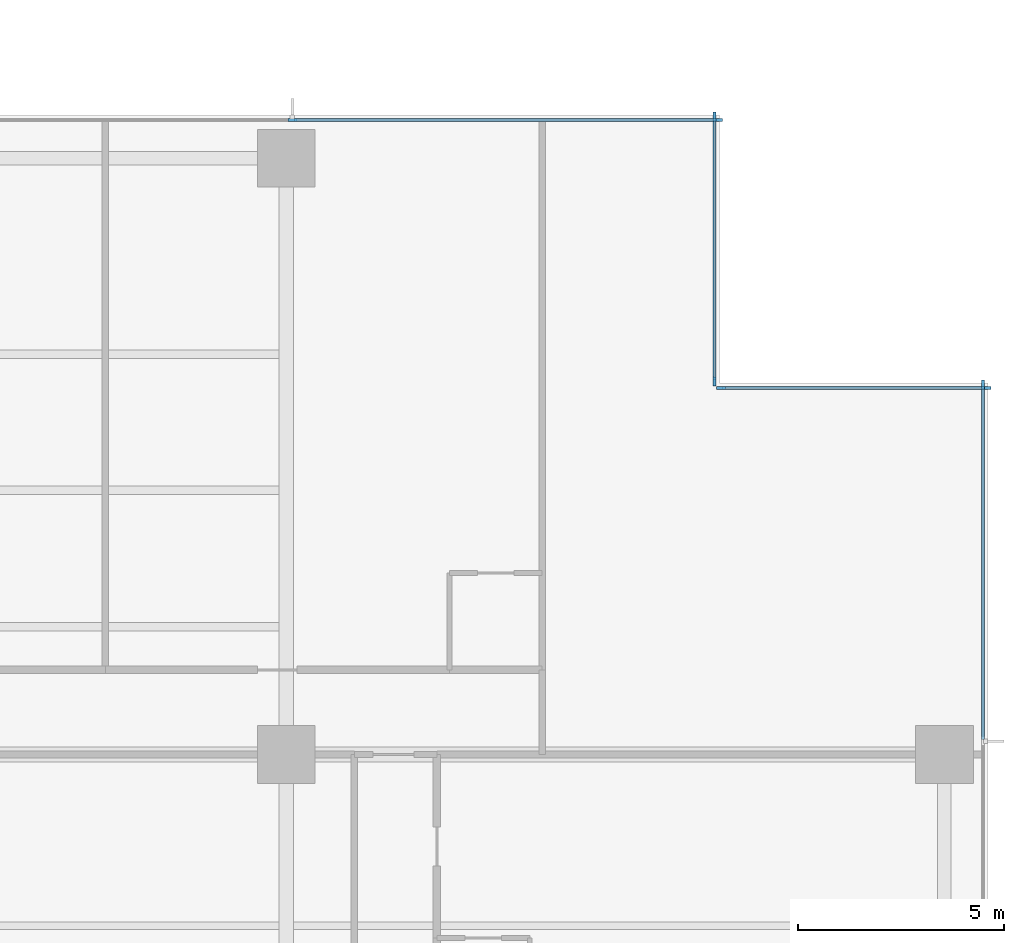
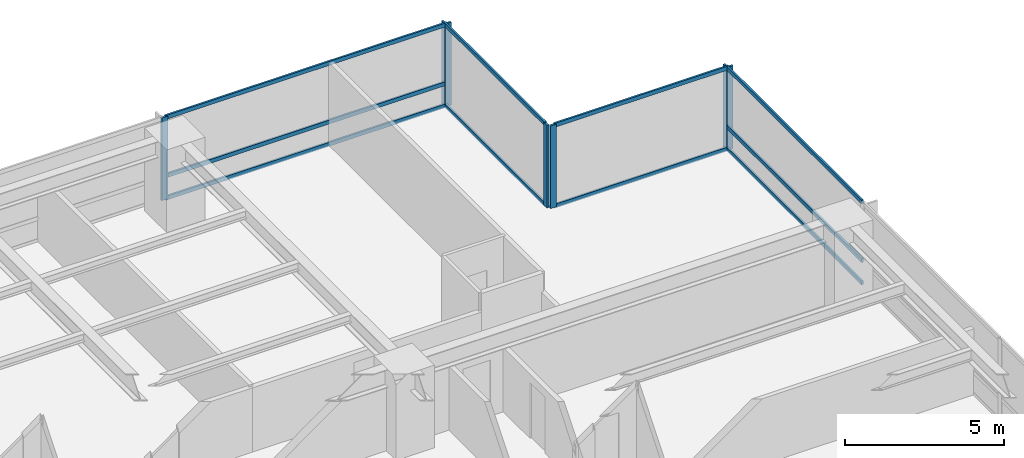
# One storey, part 5 of 16: 17 members, 4 elements without a shape of their own.
"""IFC4 building model written with IfcOpenShell, lengths in metres."""

from ifc_helpers import new_model, si_unit, direction, frame, origin, origin_2d, place, context, subcontext, project, spatial, rectangle, extrude, material, layer, layer_set, material_profile, profile_set, type_object, element, aggregate, save


model = new_model("IFC4")

# Units and contexts
model_context = context("Model", 3, precision=1e-05, world=origin(), true_north=direction((0.0, 1.0)))
body_context = subcontext(model_context, "Body", "Model", "MODEL_VIEW")
ifc_project = project(units=[si_unit("LENGTHUNIT", "METRE"), si_unit("AREAUNIT", "SQUARE_METRE"), si_unit("VOLUMEUNIT", "CUBIC_METRE"), si_unit("PLANEANGLEUNIT", "RADIAN"), si_unit("MASSUNIT", "GRAM", prefix="KILO")], contexts=[model_context])

# Site, building, storey
site_placement = place(None, origin())
site = spatial("IfcSite", under=ifc_project, at=site_placement, CompositionType="ELEMENT")
building_placement = place(site_placement, origin())
building = spatial("IfcBuilding", under=site, at=building_placement, Name="Qalmaran Belvedere Hotel", CompositionType="ELEMENT")
storey_placement = place(building_placement, frame((0.0, 0.0, 71.89990234375)))
storey = spatial("IfcBuildingStorey", under=building, at=storey_placement, Name="L18", CompositionType="ELEMENT", Elevation=71.89990234375)

# Curtain wall, member
ifc_material = material(Name="Anodised Bronze Aluminium", Category="aluminium")
ifc_layer = layer(ifc_material, 0.2099609375, Name="Anodised Bronze Aluminium")
ifc_layer_set = layer_set([ifc_layer], Name="Anodised Bronze Aluminium")
curtain_wall_type = type_object("IfcCurtainWallType", Name="CW2-TOWER-LOWER", PredefinedType="NOTDEFINED", material=ifc_layer_set)
curtain_wall_1_placement = place(storey_placement, origin())
curtain_wall_1 = element("IfcCurtainWall", 1, at=curtain_wall_1_placement, inside=storey, type_object=curtain_wall_type, Name="L18 Curtain Wall CW2", PredefinedType="NOTDEFINED")
ifc_material_profile_1 = material_profile(ifc_material, rectangle(XDim=0.074951171875, YDim=0.219970703125, at=origin_2d()), Name="CWM75X220")
ifc_profile_set_1 = profile_set([ifc_material_profile_1], Name="Anodised Bronze Aluminium")
member_type_1 = type_object("IfcMemberType", Name="CWM-75X220", PredefinedType="MULLION", material=ifc_profile_set_1)
member_1_placement = place(storey_placement, frame((61.679931640625, 41.96240234375, 0.0), z_axis=(0.0, 0.0, 1.0), x_axis=(-1.0, 0.0, 0.0)))
member_1 = element("IfcMember", 2, at=member_1_placement, type_object=member_type_1, Name="CW2 mullion 5", PredefinedType="MULLION", context=body_context, shape_type="SweptSolid", body=[
    extrude(rectangle(XDim=0.074951171875, YDim=0.219970703125, at=origin_2d()), origin(), (0.0, 0.0, 1.0), 3.18017578125),
])

# Curtain wall, members
curtain_wall_2_placement = place(storey_placement, origin())
curtain_wall_2 = element("IfcCurtainWall", 3, at=curtain_wall_2_placement, inside=storey, type_object=curtain_wall_type, Name="L18 Curtain Wall CW2", PredefinedType="NOTDEFINED")
member_2_placement = place(storey_placement, frame((61.762451171875, 41.8798828125, 0.0), z_axis=(0.0, 0.0, 1.0), x_axis=(0.0, -1.0, 0.0)))
member_2 = element("IfcMember", 4, at=member_2_placement, type_object=member_type_1, Name="CW2 mullion 1", PredefinedType="MULLION", context=body_context, shape_type="SweptSolid", body=[
    extrude(rectangle(XDim=0.074951171875, YDim=0.219970703125, at=origin_2d()), origin(), (0.0, 0.0, 1.0), 3.18017578125),
])
member_3_placement = place(storey_placement, frame((55.33740234375, 41.8798828125, 0.0), z_axis=(0.0, 0.0, 1.0), x_axis=(0.0, -1.0, 0.0)))
member_3 = element("IfcMember", 5, at=member_3_placement, type_object=member_type_1, Name="CW2 mullion 2", PredefinedType="MULLION", context=body_context, shape_type="SweptSolid", body=[
    extrude(rectangle(XDim=0.074951171875, YDim=0.219970703125, at=origin_2d()), origin(), (0.0, 0.0, 1.0), 3.18017578125),
])

curtain_wall_3_placement = place(storey_placement, origin())
curtain_wall_3 = element("IfcCurtainWall", 6, at=curtain_wall_3_placement, inside=storey, type_object=curtain_wall_type, Name="L18 Curtain Wall CW2", PredefinedType="NOTDEFINED")
member_4_placement = place(storey_placement, frame((55.179931640625, 42.03759765625, 0.0), z_axis=(0.0, 0.0, 1.0), x_axis=(-1.0, 0.0, 0.0)))
member_4 = element("IfcMember", 7, at=member_4_placement, type_object=member_type_1, Name="CW2 mullion 1", PredefinedType="MULLION", context=body_context, shape_type="SweptSolid", body=[
    extrude(rectangle(XDim=0.074951171875, YDim=0.219970703125, at=origin_2d()), origin(), (0.0, 0.0, 1.0), 3.18017578125),
])
member_5_placement = place(storey_placement, frame((55.179931640625, 48.46240234375, 0.0), z_axis=(0.0, 0.0, 1.0), x_axis=(-1.0, 0.0, 0.0)))
member_5 = element("IfcMember", 8, at=member_5_placement, type_object=member_type_1, Name="CW2 mullion 2", PredefinedType="MULLION", context=body_context, shape_type="SweptSolid", body=[
    extrude(rectangle(XDim=0.074951171875, YDim=0.219970703125, at=origin_2d()), origin(), (0.0, 0.0, 1.0), 3.18017578125),
])

curtain_wall_4_placement = place(storey_placement, origin())
curtain_wall_4 = element("IfcCurtainWall", 9, at=curtain_wall_4_placement, inside=storey, type_object=curtain_wall_type, Name="L18 Curtain Wall CW2", PredefinedType="NOTDEFINED")
member_6_placement = place(storey_placement, frame((55.262451171875, 48.3798828125, 0.0), z_axis=(0.0, 0.0, 1.0), x_axis=(0.0, -1.0, 0.0)))
member_6 = element("IfcMember", 10, at=member_6_placement, type_object=member_type_1, Name="CW2 mullion 1", PredefinedType="MULLION", context=body_context, shape_type="SweptSolid", body=[
    extrude(rectangle(XDim=0.074951171875, YDim=0.219970703125, at=origin_2d()), origin(), (0.0, 0.0, 1.0), 3.18017578125),
])
member_7_placement = place(storey_placement, frame((44.949951171875, 48.3798828125, 0.0), z_axis=(0.0, 0.0, 1.0), x_axis=(0.0, -1.0, 0.0)))
member_7 = element("IfcMember", 11, at=member_7_placement, type_object=member_type_1, Name="CW2 mullion 2", PredefinedType="MULLION", context=body_context, shape_type="SweptSolid", body=[
    extrude(rectangle(XDim=0.074951171875, YDim=0.219970703125, at=origin_2d()), origin(), (0.0, 0.0, 1.0), 3.18017578125),
])

# Member
ifc_material_profile_2 = material_profile(ifc_material, rectangle(XDim=0.070068359375, YDim=0.14990234375, at=origin_2d()), Name="CWT70X150")
ifc_profile_set_2 = profile_set([ifc_material_profile_2], Name="Anodised Bronze Aluminium")
member_type_2 = type_object("IfcMemberType", Name="CWT-70X150", PredefinedType="USERDEFINED", material=ifc_profile_set_2)
member_8_placement = place(storey_placement, frame((61.679931640625, 33.362548828125, 0.03515625), z_axis=(0.0, 1.0, 0.0), x_axis=(-1.0, 0.0, 0.0)))
member_8 = element("IfcMember", 12, at=member_8_placement, type_object=member_type_2, Name="CW2 transom 4.1", ObjectType="TRANSOM", PredefinedType="USERDEFINED", context=body_context, shape_type="SweptSolid", body=[
    extrude(rectangle(XDim=0.070068359375, YDim=0.14990234375, at=origin_2d()), origin(), (0.0, 0.0, 1.0), 8.5625),
])

member_9_placement = place(storey_placement, frame((61.679931640625, 33.362548828125, 0.890380859375), z_axis=(0.0, 1.0, 0.0), x_axis=(-1.0, 0.0, 0.0)))
member_9 = element("IfcMember", 13, at=member_9_placement, type_object=member_type_2, Name="CW2 transom 4.2", ObjectType="TRANSOM", PredefinedType="USERDEFINED", context=body_context, shape_type="SweptSolid", body=[
    extrude(rectangle(XDim=0.070068359375, YDim=0.14990234375, at=origin_2d()), origin(), (0.0, 0.0, 1.0), 8.5625),
])

member_10_placement = place(storey_placement, frame((61.679931640625, 33.362548828125, 3.14501953125), z_axis=(0.0, 1.0, 0.0), x_axis=(-1.0, 0.0, 0.0)))
member_10 = element("IfcMember", 14, at=member_10_placement, type_object=member_type_2, Name="CW2 transom 4.3", ObjectType="TRANSOM", PredefinedType="USERDEFINED", context=body_context, shape_type="SweptSolid", body=[
    extrude(rectangle(XDim=0.070068359375, YDim=0.14990234375, at=origin_2d()), origin(), (0.0, 0.0, 1.0), 8.5625),
])

aggregate(curtain_wall_1, [member_1, member_8, member_9, member_10])

member_11_placement = place(storey_placement, frame((61.72509765625, 41.8798828125, 0.03515625), z_axis=(-1.0, 0.0, 0.0), x_axis=(0.0, -1.0, 0.0)))
member_11 = element("IfcMember", 15, at=member_11_placement, type_object=member_type_2, Name="CW2 transom 1.1", ObjectType="TRANSOM", PredefinedType="USERDEFINED", context=body_context, shape_type="SweptSolid", body=[
    extrude(rectangle(XDim=0.070068359375, YDim=0.14990234375, at=origin_2d()), origin(), (0.0, 0.0, 1.0), 6.35009765625),
])

member_12_placement = place(storey_placement, frame((61.72509765625, 41.8798828125, 3.14501953125), z_axis=(-1.0, 0.0, 0.0), x_axis=(0.0, -1.0, 0.0)))
member_12 = element("IfcMember", 16, at=member_12_placement, type_object=member_type_2, Name="CW2 transom 1.2", ObjectType="TRANSOM", PredefinedType="USERDEFINED", context=body_context, shape_type="SweptSolid", body=[
    extrude(rectangle(XDim=0.070068359375, YDim=0.14990234375, at=origin_2d()), origin(), (0.0, 0.0, 1.0), 6.35009765625),
])

aggregate(curtain_wall_2, [member_2, member_3, member_11, member_12])

member_13_placement = place(storey_placement, frame((55.179931640625, 42.074951171875, 0.03515625), z_axis=(0.0, 1.0, 0.0), x_axis=(-1.0, 0.0, 0.0)))
member_13 = element("IfcMember", 17, at=member_13_placement, type_object=member_type_2, Name="CW2 transom 1.1", ObjectType="TRANSOM", PredefinedType="USERDEFINED", context=body_context, shape_type="SweptSolid", body=[
    extrude(rectangle(XDim=0.070068359375, YDim=0.14990234375, at=origin_2d()), origin(), (0.0, 0.0, 1.0), 6.35009765625),
])

member_14_placement = place(storey_placement, frame((55.179931640625, 42.074951171875, 3.14501953125), z_axis=(0.0, 1.0, 0.0), x_axis=(-1.0, 0.0, 0.0)))
member_14 = element("IfcMember", 18, at=member_14_placement, type_object=member_type_2, Name="CW2 transom 1.2", ObjectType="TRANSOM", PredefinedType="USERDEFINED", context=body_context, shape_type="SweptSolid", body=[
    extrude(rectangle(XDim=0.070068359375, YDim=0.14990234375, at=origin_2d()), origin(), (0.0, 0.0, 1.0), 6.35009765625),
])

aggregate(curtain_wall_3, [member_4, member_5, member_13, member_14])

member_15_placement = place(storey_placement, frame((55.22509765625, 48.3798828125, 0.03515625), z_axis=(-1.0, 0.0, 0.0), x_axis=(0.0, -1.0, 0.0)))
member_15 = element("IfcMember", 19, at=member_15_placement, type_object=member_type_2, Name="CW2 transom 1.1", ObjectType="TRANSOM", PredefinedType="USERDEFINED", context=body_context, shape_type="SweptSolid", body=[
    extrude(rectangle(XDim=0.070068359375, YDim=0.14990234375, at=origin_2d()), origin(), (0.0, 0.0, 1.0), 10.237548828125),
])

member_16_placement = place(storey_placement, frame((55.22509765625, 48.3798828125, 0.890380859375), z_axis=(-1.0, 0.0, 0.0), x_axis=(0.0, -1.0, 0.0)))
member_16 = element("IfcMember", 20, at=member_16_placement, type_object=member_type_2, Name="CW2 transom 1.2", ObjectType="TRANSOM", PredefinedType="USERDEFINED", context=body_context, shape_type="SweptSolid", body=[
    extrude(rectangle(XDim=0.070068359375, YDim=0.14990234375, at=origin_2d()), origin(), (0.0, 0.0, 1.0), 10.237548828125),
])

member_17_placement = place(storey_placement, frame((55.22509765625, 48.3798828125, 3.14501953125), z_axis=(-1.0, 0.0, 0.0), x_axis=(0.0, -1.0, 0.0)))
member_17 = element("IfcMember", 21, at=member_17_placement, type_object=member_type_2, Name="CW2 transom 1.3", ObjectType="TRANSOM", PredefinedType="USERDEFINED", context=body_context, shape_type="SweptSolid", body=[
    extrude(rectangle(XDim=0.070068359375, YDim=0.14990234375, at=origin_2d()), origin(), (0.0, 0.0, 1.0), 10.237548828125),
])

aggregate(curtain_wall_4, [member_6, member_7, member_15, member_16, member_17])

save(model, "model.ifc")
